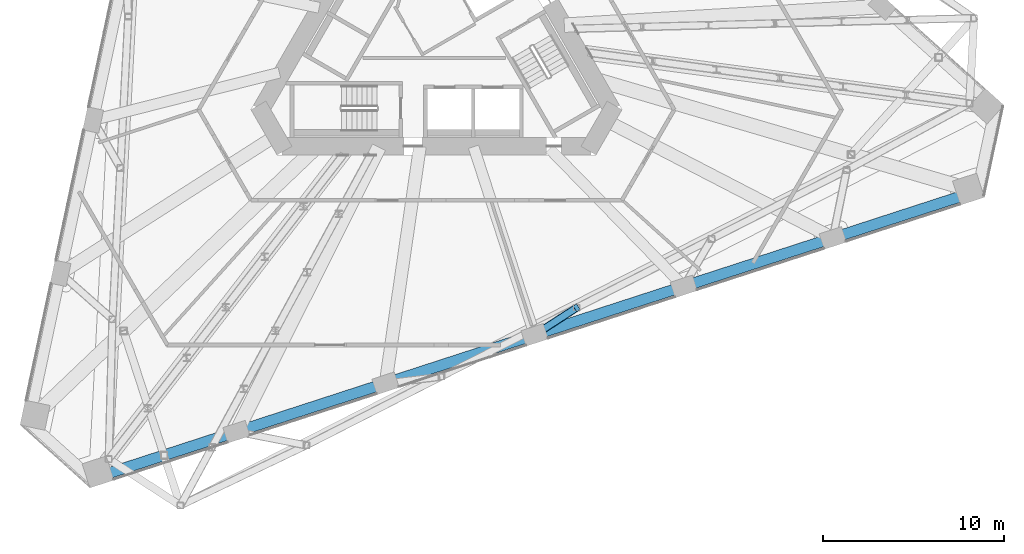
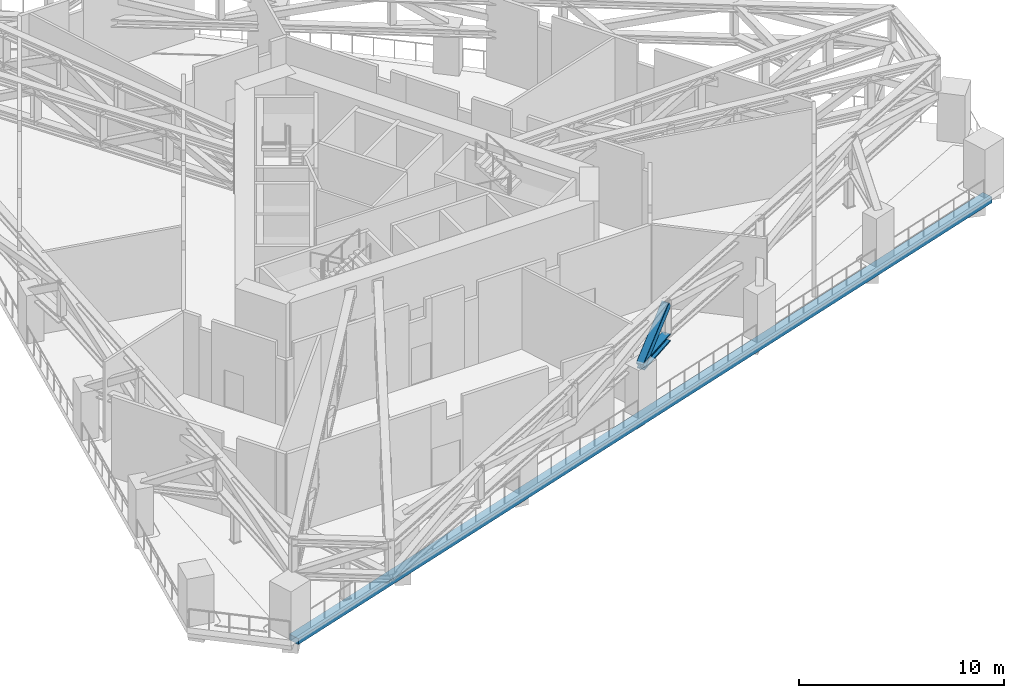
# One storey, part 3 of 24: 2 members, 1 beam.
"""IFC4 building model written with IfcOpenShell, lengths in metres."""

from ifc_helpers import new_model, si_unit, direction, frame, origin, origin_2d, place, context, subcontext, project, spatial, rectangle, hollow_rectangle, i_section, extrude, material, material_profile, profile_set, type_object, element, save


model = new_model("IFC4")

# Units and contexts
model_context = context("Model", 3, precision=1e-05, world=origin(), true_north=direction((0.0, 1.0)))
body_context = subcontext(model_context, "Body", "Model", "MODEL_VIEW")
ifc_project = project(units=[si_unit("LENGTHUNIT", "METRE"), si_unit("AREAUNIT", "SQUARE_METRE"), si_unit("VOLUMEUNIT", "CUBIC_METRE"), si_unit("PLANEANGLEUNIT", "RADIAN"), si_unit("MASSUNIT", "GRAM", prefix="KILO")], contexts=[model_context])

# Site, building, storey
site_placement = place(None, origin())
site = spatial("IfcSite", under=ifc_project, at=site_placement, CompositionType="ELEMENT")
building_placement = place(site_placement, origin())
building = spatial("IfcBuilding", under=site, at=building_placement, Name="Tramontana Tower", CompositionType="ELEMENT")
storey_placement = place(building_placement, frame((0.0, 0.0, 120.39990234375)))
storey = spatial("IfcBuildingStorey", under=building, at=storey_placement, Name="L27", CompositionType="ELEMENT", Elevation=120.39990234375)

# Beam
ifc_material_1 = material(Name="Concrete 40 MPa", Category="concrete")
ifc_material_profile_1 = material_profile(ifc_material_1, rectangle(XDim=0.60009765625, YDim=0.35009765625, at=origin_2d()), Name="RC EDGE BEAM 600X350 40 MPa")
ifc_profile_set_1 = profile_set([ifc_material_profile_1], Name="Concrete 40 MPa")
beam_type = type_object("IfcBeamType", Name="RC EDGE BEAM 600X350 40 MPa", PredefinedType="SPANDREL", material=ifc_profile_set_1)
beam_placement = place(storey_placement, frame((-18.6201171875, -24.503173828125, -0.52490234375), z_axis=(0.95105720178, 0.309014884661, 0.0), x_axis=(-0.309014884661, 0.95105720178, 0.0)))
element("IfcBeam", 1, at=beam_placement, inside=storey, type_object=beam_type, Name="Spandrel beam S1 L27", PredefinedType="SPANDREL", context=body_context, shape_type="SweptSolid", body=[
    extrude(rectangle(XDim=0.60009765625, YDim=0.35009765625, at=origin_2d()), origin(), (0.0, 0.0, 1.0), 50.5615234375),
])

# Members
ifc_material_2 = material(Name="Steel ASTM A500 Grade C", Category="steel")
ifc_material_profile_2 = material_profile(ifc_material_2, hollow_rectangle(XDim=0.406494140625, YDim=0.406494140625, WallThickness=0.0146484375, InnerFilletRadius=0.0146484375, OuterFilletRadius=0.029541015625, at=origin_2d()), Name="HSS16X16X5/8")
ifc_profile_set_2 = profile_set([ifc_material_profile_2], Name="Steel ASTM A500 Grade C")
member_type_1 = type_object("IfcMemberType", Name="Transfer truss HSS16X16X5/8 brace", PredefinedType="BRACE", material=ifc_profile_set_2)
member_1_placement = place(storey_placement, frame((5.423095703125, -16.69091796875, 2.6318359375), z_axis=(0.68144950486, 0.440874569042, 0.584171367578), x_axis=(-0.543196262893, 0.839605752707, 0.0)))
element("IfcMember", 2, at=member_1_placement, inside=storey, type_object=member_type_1, Name="Transfer truss strut C3F08 diagonal", PredefinedType="BRACE", context=body_context, shape_type="SweptSolid", body=[
    extrude(hollow_rectangle(XDim=0.406494140625, YDim=0.406494140625, WallThickness=0.0146484375, InnerFilletRadius=0.0146484375, OuterFilletRadius=0.029541015625, at=origin_2d()), origin(), (0.0, 0.0, 1.0), 3.400634765625),
])
ifc_material_3 = material(Name="Steel ASTM A992 Grade 50", Category="steel")
ifc_material_profile_3 = material_profile(ifc_material_3, i_section(OverallWidth=0.42236328125, OverallDepth=0.463623046875, WebThickness=0.04443359375, FlangeThickness=0.072998046875, FilletRadius=0.014892578125, at=origin_2d()), Name="W14X398")
ifc_profile_set_3 = profile_set([ifc_material_profile_3], Name="Steel ASTM A992 Grade 50")
member_type_2 = type_object("IfcMemberType", Name="Transfer truss W14X398 strut", PredefinedType="STRUT", material=ifc_profile_set_3)
member_2_placement = place(storey_placement, frame((5.423095703125, -16.69091796875, 2.6318359375), z_axis=(0.839605752707, 0.543196262893, 0.0), x_axis=(-0.543196262893, 0.839605752707, 0.0)))
element("IfcMember", 3, at=member_2_placement, inside=storey, type_object=member_type_2, Name="Transfer truss strut C3F08 bottom", PredefinedType="STRUT", context=body_context, shape_type="SweptSolid", body=[
    extrude(i_section(OverallWidth=0.42236328125, OverallDepth=0.463623046875, WebThickness=0.04443359375, FlangeThickness=0.072998046875, FilletRadius=0.014892578125, at=origin_2d()), origin(), (0.0, 0.0, 1.0), 2.760009765625),
])

save(model, "model.ifc")
